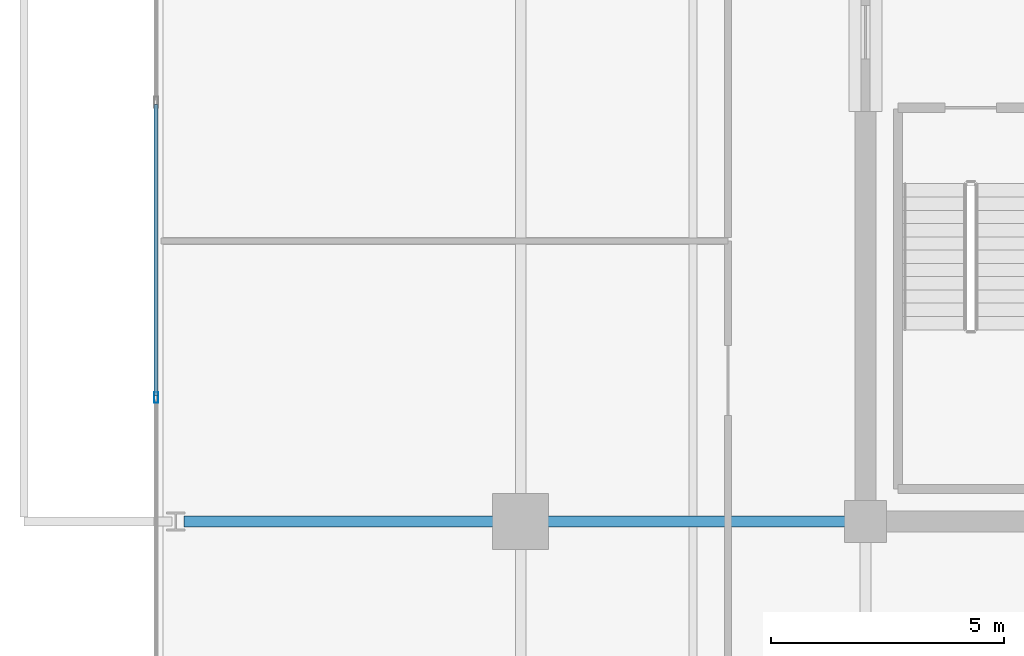
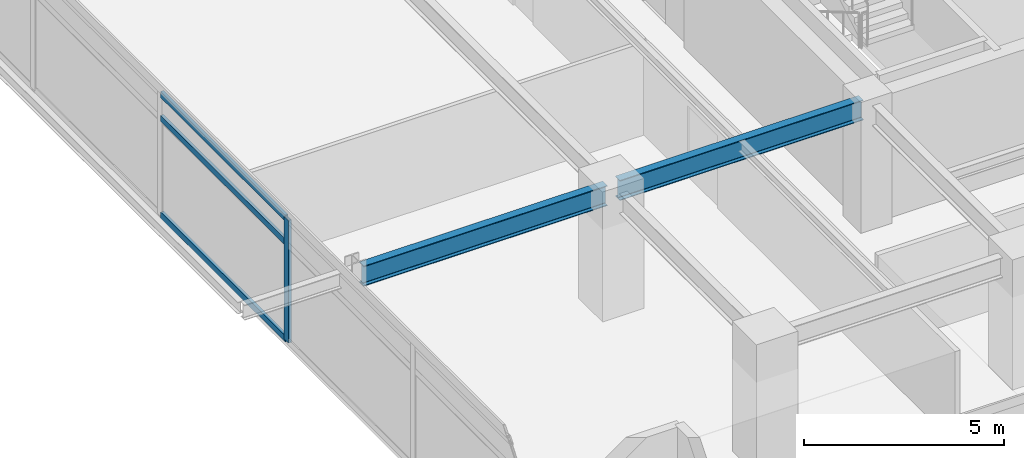
# One storey, part 4 of 23: 4 members, 2 beams, 1 element without a shape of its own.
"""IFC4 building model written with IfcOpenShell, lengths in metres."""

from ifc_helpers import new_model, si_unit, direction, frame, origin, origin_2d, place, context, subcontext, project, spatial, hollow_rectangle, i_section, extrude, material, material_profile, profile_set, type_object, element, aggregate, save


model = new_model("IFC4")

# Units and contexts
model_context = context("Model", 3, precision=1e-05, world=origin(), true_north=direction((0.0, 1.0)))
body_context = subcontext(model_context, "Body", "Model", "MODEL_VIEW")
ifc_project = project(units=[si_unit("LENGTHUNIT", "METRE"), si_unit("AREAUNIT", "SQUARE_METRE"), si_unit("VOLUMEUNIT", "CUBIC_METRE"), si_unit("PLANEANGLEUNIT", "RADIAN"), si_unit("MASSUNIT", "GRAM", prefix="KILO")], contexts=[model_context])

# Site, building, storey
site_placement = place(None, origin())
site = spatial("IfcSite", under=ifc_project, at=site_placement, CompositionType="ELEMENT")
building_placement = place(site_placement, origin())
building = spatial("IfcBuilding", under=site, at=building_placement, Name="Kovane Verandah Tower", CompositionType="ELEMENT")
storey_placement = place(building_placement, frame((0.0, 0.0, 267.199951171875)))
storey = spatial("IfcBuildingStorey", under=building, at=storey_placement, Name="L62", CompositionType="ELEMENT", Elevation=267.199951171875)

# Beams
ifc_material_1 = material(Name="Steel S355", Category="steel")
ifc_material_profile_1 = material_profile(ifc_material_1, i_section(OverallWidth=0.230224609375, OverallDepth=0.6171875, WebThickness=0.01318359375, FlangeThickness=0.022216796875, FilletRadius=0.0126953125, at=origin_2d()), Name="UB610x229x140")
ifc_profile_set_1 = profile_set([ifc_material_profile_1], Name="Steel S355")
beam_type = type_object("IfcBeamType", Name="BM-UB610x140", PredefinedType="BEAM", material=ifc_profile_set_1)
for number, where, z_axis, x_axis, name in (
    (1, (28.820068359375, 18.5, 3.4765625), (-1.0, 0.0, 0.0), (0.0, -1.0, 0.0), "L62 Primary Tower Girder G-W1"),
    (2, (21.419921875, 18.5, 3.451416015625), (-1.0, 0.0, 0.0), (0.0, -1.0, 0.0), "L62 Primary Tower Girder G-VW1"),
):
    element("IfcBeam", number, at=place(storey_placement, frame(where, z_axis=z_axis, x_axis=x_axis)), inside=storey, type_object=beam_type, Name=name, PredefinedType="BEAM", context=body_context, shape_type="SweptSolid", body=[
        extrude(i_section(OverallWidth=0.230224609375, OverallDepth=0.6171875, WebThickness=0.01318359375, FlangeThickness=0.022216796875, FilletRadius=0.0126953125, at=origin_2d()), origin(), (0.0, 0.0, 1.0), 7.0400390625),
    ])

# Curtain wall, members
ifc_material_2 = material(Name="Champagne Anodised Aluminium Frame with Low-E Clear Laminated Glass", Category="aluminium")
curtain_wall_type = type_object("IfcCurtainWallType", Name="CW-SYS-05-HIGH", PredefinedType="NOTDEFINED", material=ifc_material_2)
curtain_wall_placement = place(storey_placement, origin())
curtain_wall = element("IfcCurtainWall", 3, at=curtain_wall_placement, inside=storey, type_object=curtain_wall_type, Name="L62 W Unitised Curtain Wall", PredefinedType="NOTDEFINED")
ifc_material_3 = material(Name="Champagne Anodised Aluminium 6063-T6", Category="aluminium")
ifc_material_profile_2 = material_profile(ifc_material_3, hollow_rectangle(XDim=0.0849609375, YDim=0.22998046875, WallThickness=0.00390625, at=origin_2d()), Name="AL85x230x4")
ifc_profile_set_2 = profile_set([ifc_material_profile_2], Name="Champagne Anodised Aluminium 6063-T6")
member_type_1 = type_object("IfcMemberType", Name="CW-MUL-85x230", PredefinedType="MULLION", material=ifc_profile_set_2)
member_1_placement = place(storey_placement, frame((13.779296875, 21.158935546875, 0.02001953125), z_axis=(0.0, 0.0, 1.0), x_axis=(-1.0, 0.0, 0.0)))
member_1 = element("IfcMember", 4, at=member_1_placement, type_object=member_type_1, Name="L62 W Unitised Curtain Wall Mullion 5", PredefinedType="MULLION", context=body_context, shape_type="SweptSolid", body=[
    extrude(hollow_rectangle(XDim=0.0849609375, YDim=0.22998046875, WallThickness=0.00390625, at=origin_2d()), origin(), (0.0, 0.0, 1.0), 3.7451171875),
])
ifc_material_profile_3 = material_profile(ifc_material_3, hollow_rectangle(XDim=0.0849609375, YDim=0.18994140625, WallThickness=0.00390625, at=origin_2d()), Name="AL85x190x4")
ifc_profile_set_3 = profile_set([ifc_material_profile_3], Name="Champagne Anodised Aluminium 6063-T6")
member_type_2 = type_object("IfcMemberType", Name="CW-TRN-85x190", PredefinedType="USERDEFINED", material=ifc_profile_set_3)
member_2_placement = place(storey_placement, frame((13.779296875, 27.449951171875, 0.050048828125), z_axis=(0.0, -1.0, 0.0), x_axis=(1.0, 0.0, 0.0)))
member_2 = element("IfcMember", 5, at=member_2_placement, type_object=member_type_2, Name="L62 W Unitised Curtain Wall Transom TB Bay 4", ObjectType="TRANSOM", PredefinedType="USERDEFINED", context=body_context, shape_type="SweptSolid", body=[
    extrude(hollow_rectangle(XDim=0.0849609375, YDim=0.18994140625, WallThickness=0.00390625, at=origin_2d()), origin(), (0.0, 0.0, 1.0), 6.240966796875),
])
member_3_placement = place(storey_placement, frame((13.779296875, 27.449951171875, 3.005126953125), z_axis=(0.0, -1.0, 0.0), x_axis=(1.0, 0.0, 0.0)))
member_3 = element("IfcMember", 6, at=member_3_placement, type_object=member_type_2, Name="L62 W Unitised Curtain Wall Transom TM Bay 4", ObjectType="TRANSOM", PredefinedType="USERDEFINED", context=body_context, shape_type="SweptSolid", body=[
    extrude(hollow_rectangle(XDim=0.0849609375, YDim=0.18994140625, WallThickness=0.00390625, at=origin_2d()), origin(), (0.0, 0.0, 1.0), 6.240966796875),
])
member_4_placement = place(storey_placement, frame((13.779296875, 27.449951171875, 3.735107421875), z_axis=(0.0, -1.0, 0.0), x_axis=(1.0, 0.0, 0.0)))
member_4 = element("IfcMember", 7, at=member_4_placement, type_object=member_type_2, Name="L62 W Unitised Curtain Wall Transom TT Bay 4", ObjectType="TRANSOM", PredefinedType="USERDEFINED", context=body_context, shape_type="SweptSolid", body=[
    extrude(hollow_rectangle(XDim=0.0849609375, YDim=0.18994140625, WallThickness=0.00390625, at=origin_2d()), origin(), (0.0, 0.0, 1.0), 6.240966796875),
])
aggregate(curtain_wall, [member_1, member_2, member_3, member_4])

save(model, "model.ifc")
